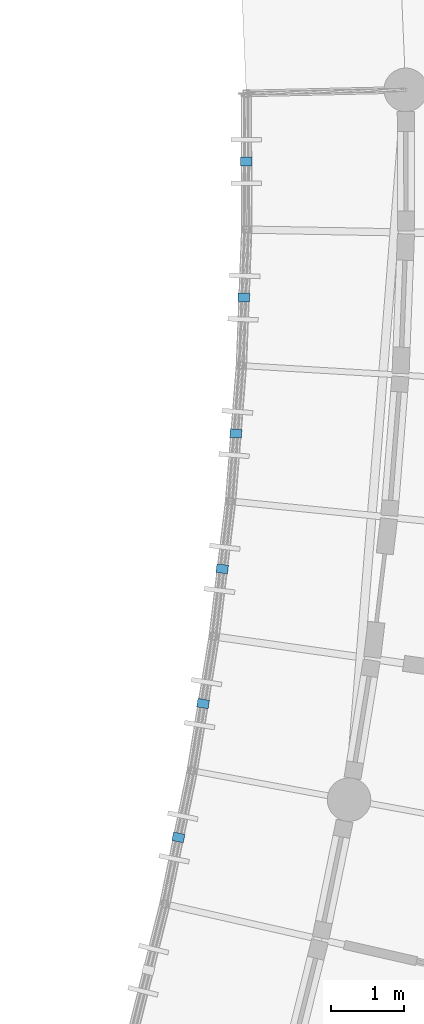
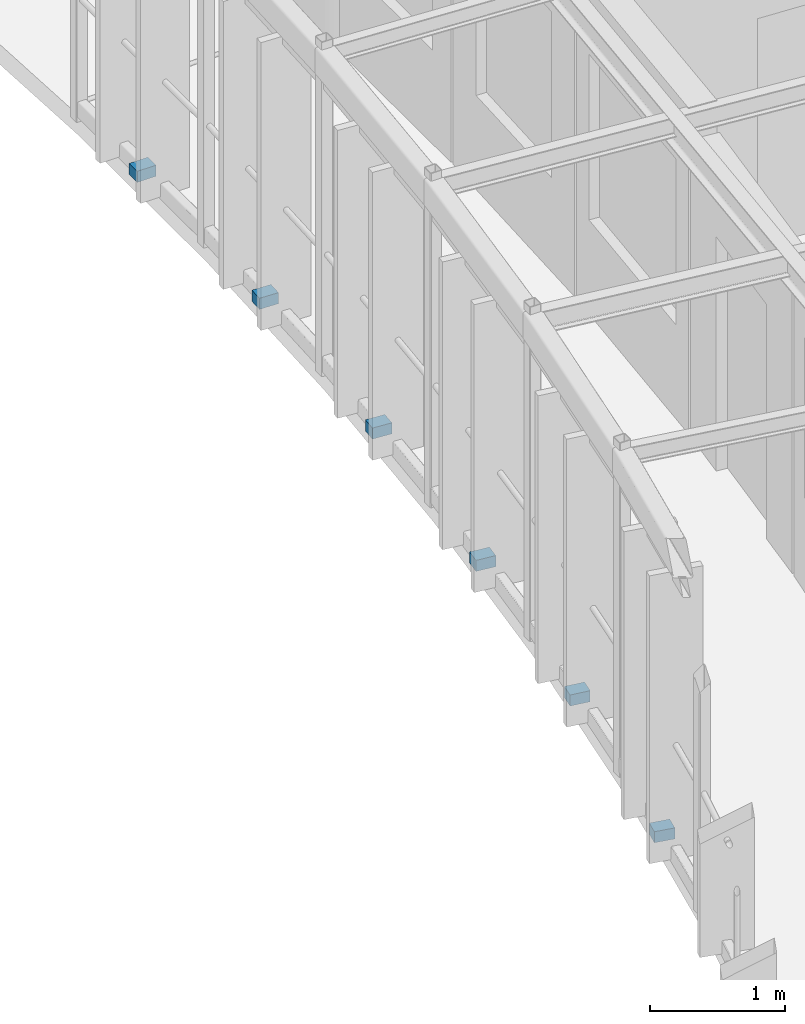
# One storey, part 85 of 100: 6 discrete accessories.
"""IFC4 building model written with IfcOpenShell, lengths in metres."""

from ifc_helpers import new_model, si_unit, direction, frame, origin, origin_2d, place, context, subcontext, project, spatial, rectangle, extrude, material, type_object, element, save


model = new_model("IFC4")

# Units and contexts
model_context = context("Model", 3, precision=1e-05, world=origin(), true_north=direction((0.0, 1.0)))
body_context = subcontext(model_context, "Body", "Model", "MODEL_VIEW")
ifc_project = project(units=[si_unit("LENGTHUNIT", "METRE"), si_unit("AREAUNIT", "SQUARE_METRE"), si_unit("VOLUMEUNIT", "CUBIC_METRE"), si_unit("PLANEANGLEUNIT", "RADIAN"), si_unit("MASSUNIT", "GRAM", prefix="KILO"), si_unit("POWERUNIT", "WATT"), si_unit("THERMODYNAMICTEMPERATUREUNIT", "KELVIN")], contexts=[model_context])

# Site, building, storey
site_placement = place(None, origin())
site = spatial("IfcSite", under=ifc_project, at=site_placement, CompositionType="ELEMENT")
building_placement = place(site_placement, origin())
building = spatial("IfcBuilding", under=site, at=building_placement, Name="Ruvembo Vaulted Housing Court", CompositionType="ELEMENT")
storey_placement = place(building_placement, frame((0.0, 0.0, 14.10009765625)))
storey = spatial("IfcBuildingStorey", under=building, at=storey_placement, Name="L04", CompositionType="ELEMENT", Elevation=14.10009765625)

# Discrete accessories
ifc_material = material(Name="Stainless Steel Grade 316", Category="steel")
discrete_accessory_type = type_object("IfcDiscreteAccessoryType", Name="ACC-BRACKET-SS", PredefinedType="BRACKET", material=ifc_material)
for number, where, z_axis, x_axis, name in (
    (1, (46.853759765625, 64.78564453125, 0.02978515625), (0.0, 0.0, 1.0), (0.979547164277, -0.201214693692, 0.0), "Stainless Louvre Rail Bracket #71"),
    (2, (47.193603515625, 66.630859375, 0.02978515625), (0.0, 0.0, 1.0), (0.986957060278, -0.160983729511, 0.0), "Stainless Louvre Rail Bracket #72"),
    (3, (47.45751953125, 68.488525390625, 0.02978515625), (0.0, 0.0, 1.0), (0.992734259016, -0.120327432347, 0.0), "Stainless Louvre Rail Bracket #73"),
    (4, (47.64501953125, 70.35546875, 0.02978515625), (0.0, 0.0, 1.0), (0.996826293951, -0.079607409749, 0.0), "Stainless Louvre Rail Bracket #74"),
    (5, (47.756103515625, 72.228271484375, 0.02978515625), (0.0, 0.0, 1.0), (0.999251482534, -0.038684294669, 0.0), "Stainless Louvre Rail Bracket #75"),
    (6, (47.790283203125, 74.104248046875, 0.02978515625), (0.0, 0.0, 1.0), (0.999997386231, 0.002286379328, 0.0), "Stainless Louvre Rail Bracket #76"),
):
    element("IfcDiscreteAccessory", number, at=place(storey_placement, frame(where, z_axis=z_axis, x_axis=x_axis)), inside=storey, type_object=discrete_accessory_type, Name=name, PredefinedType="BRACKET", context=body_context, shape_type="SweptSolid", body=[
        extrude(rectangle(XDim=0.159912109375, YDim=0.1201171875, at=origin_2d()), origin(), (0.0, 0.0, 1.0), 0.10009765625),
    ])

save(model, "model.ifc")
